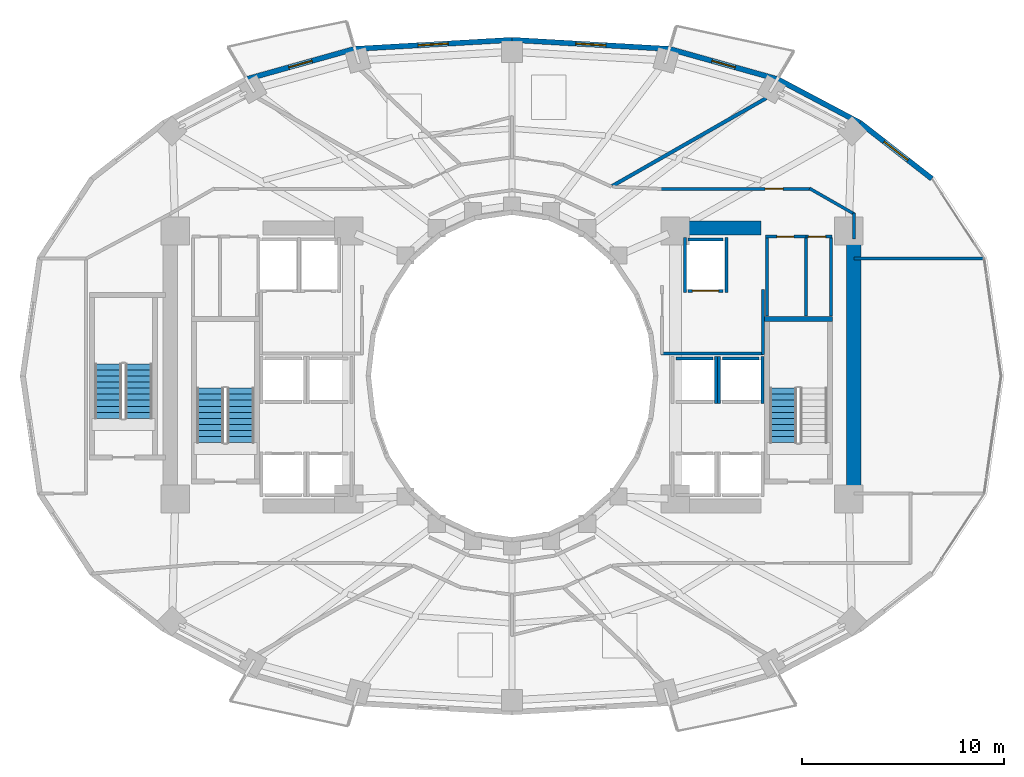
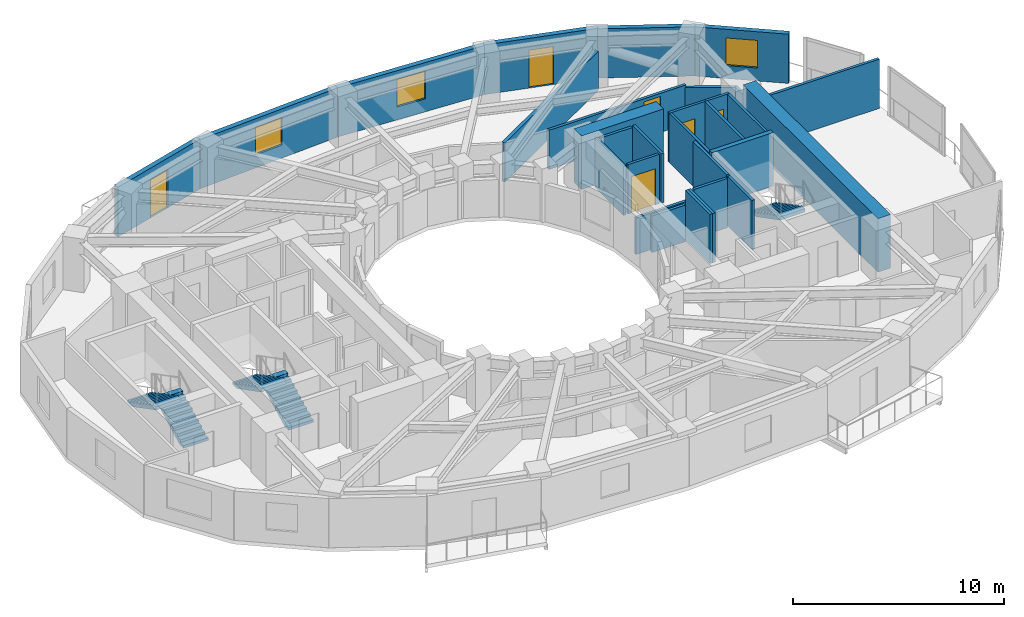
# One storey, part 10 of 14: 30 walls, 6 doors, 5 stair flights, 3 windows, 9 openings, 3 elements without a shape of their own.
"""IFC4 building model written with IfcOpenShell, lengths in metres."""

from ifc_helpers import new_model, si_unit, direction, frame, frame_2d, origin, place, context, subcontext, project, spatial, polyline, rectangle, outline, extrude, material, layer, layer_set, type_object, element, fill, aggregate, save


model = new_model("IFC4")

# Units and contexts
model_context = context("Model", 3, precision=1e-05, world=origin(), true_north=direction((0.0, 1.0)))
body_context = subcontext(model_context, "Body", "Model", "MODEL_VIEW")
ifc_project = project(units=[si_unit("LENGTHUNIT", "METRE"), si_unit("AREAUNIT", "SQUARE_METRE"), si_unit("VOLUMEUNIT", "CUBIC_METRE"), si_unit("PLANEANGLEUNIT", "RADIAN"), si_unit("MASSUNIT", "GRAM", prefix="KILO")], contexts=[model_context])

# Site, building, storey
site_placement = place(None, origin())
site = spatial("IfcSite", under=ifc_project, at=site_placement, CompositionType="ELEMENT")
building_placement = place(site_placement, origin())
building = spatial("IfcBuilding", under=site, at=building_placement, Name="Solvane Sanctuary Tower", CompositionType="ELEMENT")
storey_placement = place(building_placement, frame((0.0, 0.0, 88.699951171875)))
storey = spatial("IfcBuildingStorey", under=building, at=storey_placement, Name="L26", CompositionType="ELEMENT", Elevation=88.699951171875)

# Walls
ifc_material_1 = material(Name="Concrete C60/75", Category="concrete")
ifc_layer_1 = layer(ifc_material_1, 0.699951171875, Name="Concrete C60/75")
ifc_layer_set_1 = layer_set([ifc_layer_1], Name="Concrete C60/75")
wall_type_1 = type_object("IfcWallType", Name="Wall W-CORE-700", PredefinedType="SHEAR", material=ifc_layer_set_1)
wall_1_placement = place(storey_placement, frame((48.949951171875, 17.050048828125, 0.0), z_axis=(0.0, 0.0, 1.0), x_axis=(0.0, 1.0, 0.0)))
element("IfcWall", 1, at=wall_1_placement, inside=storey, type_object=wall_type_1, Name="L26 Core Shear Wall EC-E", PredefinedType="SHEAR", context=body_context, shape_type="SweptSolid", body=[
    extrude(rectangle(XDim=12.800048828125, YDim=0.699951171875, at=frame_2d((6.39990234375, 0.0))), origin(), (0.0, 0.0, 1.0), 3.10009765625),
])
wall_2_placement = place(storey_placement, frame((39.85009765625, 30.35009765625, 0.0), z_axis=(0.0, 0.0, 1.0), x_axis=(1.0, 0.0, 0.0)))
element("IfcWall", 2, at=wall_2_placement, inside=storey, type_object=wall_type_1, Name="L26 Core Shear Wall EC-N", PredefinedType="SHEAR", context=body_context, shape_type="SweptSolid", body=[
    extrude(rectangle(XDim=4.5, YDim=0.699951171875, at=frame_2d((2.25, 0.0))), origin(), (0.0, 0.0, 1.0), 3.10009765625),
])
ifc_material_2 = material(Name="Acoustic Gypsum Partition Board")
ifc_layer_2 = layer(ifc_material_2, 0.14990234375, Name="Acoustic Gypsum Partition Board")
ifc_layer_set_2 = layer_set([ifc_layer_2], Name="Acoustic Gypsum Partition Board")
wall_type_2 = type_object("IfcWallType", Name="Wall W-CORR-150", PredefinedType="PARTITIONING", material=ifc_layer_set_2)
wall_3_placement = place(storey_placement, frame((39.39990234375, 24.1201171875, 0.0), z_axis=(0.0, 0.0, 1.0), x_axis=(1.0, 0.0, 0.0)))
element("IfcWall", 3, at=wall_3_placement, inside=storey, type_object=wall_type_2, Name="L26 East Firefighting Lobby South Wall", PredefinedType="PARTITIONING", context=body_context, shape_type="SweptSolid", body=[
    extrude(rectangle(XDim=5.080078125, YDim=0.14990234375, at=frame_2d((2.5400390625, 0.0))), origin(), (0.0, 0.0, 1.0), 2.1201171875),
])
wall_4_placement = place(storey_placement, frame((44.449951171875, 24.080078125, 0.0), z_axis=(0.0, 0.0, 1.0), x_axis=(0.0, 1.0, 0.0)))
element("IfcWall", 4, at=wall_4_placement, inside=storey, type_object=wall_type_2, Name="L26 East Firefighting Lobby East Wall", PredefinedType="PARTITIONING", context=body_context, shape_type="SweptSolid", body=[
    extrude(rectangle(XDim=3.199951171875, YDim=0.14990234375, at=frame_2d((1.60009765625, 0.0))), origin(), (0.0, 0.0, 1.0), 2.85498046875),
])
wall_5_placement = place(storey_placement, frame((48.949951171875, 28.8251953125, 0.0), z_axis=(0.0, 0.0, 1.0), x_axis=(1.0, 0.0, 0.0)))
element("IfcWall", 5, at=wall_5_placement, inside=storey, type_object=wall_type_2, Name="L26 East Shoulder North Wall", PredefinedType="PARTITIONING", context=body_context, shape_type="SweptSolid", body=[
    extrude(rectangle(XDim=6.49169921875, YDim=0.14990234375, at=frame_2d((3.245849609375, 0.0))), origin(), (0.0, 0.0, 1.0), 2.85498046875),
])
wall_6_placement = place(storey_placement, frame((48.949951171875, 29.800048828125, 0.0), z_axis=(0.0, 0.0, 1.0), x_axis=(0.0, 1.0, 0.0)))
element("IfcWall", 6, at=wall_6_placement, inside=storey, type_object=wall_type_2, Name="L26 NE Corner Closer 1", PredefinedType="PARTITIONING", context=body_context, shape_type="SweptSolid", body=[
    extrude(rectangle(XDim=1.2900390625, YDim=0.14990234375, at=frame_2d((0.64501953125, 0.0))), origin(), (0.0, 0.0, 1.0), 2.14208984375),
])

# Wall, opening, door
wall_7_placement = place(storey_placement, frame((39.330078125, 32.280029296875, 0.0), z_axis=(0.0, 0.0, 1.0), x_axis=(1.0, 0.0, 0.0)))
wall_7 = element("IfcWall", 7, at=wall_7_placement, inside=storey, type_object=wall_type_2, Name="L26 NE Corner Corridor Wall", PredefinedType="PARTITIONING", context=body_context, shape_type="SweptSolid", body=[
    extrude(rectangle(XDim=7.52001953125, YDim=0.14990234375, at=frame_2d((3.760009765625, 0.0))), origin(), (0.0, 0.0, 1.0), 2.27197265625),
])
opening_1_placement = place(wall_7_placement, frame((5.219970703125, 0.0, 0.0)))
opening_1 = element("IfcOpeningElement", 8, at=opening_1_placement, cuts=wall_7, Name="Opening D-L26-16", PredefinedType="OPENING", context=body_context, shape_type="SweptSolid", body=[
    extrude(rectangle(XDim=0.89990234375, YDim=2.10009765625, at=frame_2d((0.449951171875, 1.050048828125))), frame((0.0, 0.0849609375, 0.0), z_axis=(0.0, -1.0, 0.0), x_axis=(1.0, 0.0, 0.0)), (0.0, 0.0, 1.0), 0.169921875),
])
ifc_material_3 = material(Name="Engineered Tropical Hardwood", Category="wood")
door_type_1 = type_object("IfcDoorType", Name="Door D-WET-900", OperationType="NOTDEFINED", PredefinedType="DOOR", material=ifc_material_3)
door_1_placement = place(opening_1_placement, origin())
door_1 = element("IfcDoor", 9, at=door_1_placement, inside=storey, type_object=door_type_1, Name="L26 NE Corner Salon Door", OperationType="SINGLE_SWING_LEFT", OverallHeight=2.10009765625, OverallWidth=0.89990234375, PredefinedType="DOOR", context=body_context, shape_type="SweptSolid", body=[
    extrude(rectangle(XDim=0.89990234375, YDim=2.10009765625, at=frame_2d((0.449951171875, 1.050048828125))), frame((0.0, 0.02490234375, 0.0), z_axis=(0.0, -1.0, 0.0), x_axis=(1.0, 0.0, 0.0)), (0.0, 0.0, 1.0), 0.050048828125),
])
fill(opening_1, door_1)

# Wall
wall_8_placement = place(storey_placement, frame((46.756591796875, 32.3046875, 0.0), z_axis=(0.0, 0.0, 1.0), x_axis=(0.867991349648, -0.496579315857, 0.0)))
element("IfcWall", 10, at=wall_8_placement, inside=storey, type_object=wall_type_2, Name="L26 NE Corner Wing Wall", PredefinedType="PARTITIONING", context=body_context, shape_type="SweptSolid", body=[
    extrude(rectangle(XDim=2.56689453125, YDim=0.14990234375, at=frame_2d((1.283447265625, 0.0))), origin(), (0.0, 0.0, 1.0), 2.14208984375),
])

# Wall, opening, window
ifc_material_4 = material(Name="Precast concrete C40/50", Category="concrete")
ifc_layer_3 = layer(ifc_material_4, 0.260009765625, Name="Precast concrete C40/50")
ifc_layer_set_3 = layer_set([ifc_layer_3], Name="Precast concrete C40/50")
wall_type_3 = type_object("IfcWallType", Name="Wall W-EXT-250", PredefinedType="STANDARD", material=ifc_layer_set_3)
wall_9_placement = place(storey_placement, frame((52.820556640625, 32.786376953125, 0.0), z_axis=(0.0, 0.0, 1.0), x_axis=(-0.789127449954, 0.614229491094, 0.0)))
wall_9 = element("IfcWall", 11, at=wall_9_placement, inside=storey, type_object=wall_type_3, Name="L26 Ceramic-Printed Facade Wall 02", PredefinedType="STANDARD", context=body_context, shape_type="SweptSolid", body=[
    extrude(rectangle(XDim=4.504638671875, YDim=0.260009765625, at=frame_2d((2.25244140625, 0.0))), origin(), (0.0, 0.0, 1.0), 2.85009765625),
])
opening_2_placement = place(wall_9_placement, frame((1.502197265625, 0.0, 0.75)))
opening_2 = element("IfcOpeningElement", 12, at=opening_2_placement, cuts=wall_9, Name="Opening WN-OPER-1500", PredefinedType="OPENING", context=body_context, shape_type="SweptSolid", body=[
    extrude(rectangle(XDim=1.5, YDim=1.60009765625, at=frame_2d((0.75, 0.800048828125))), frame((0.0, 0.139892578125, 0.0), z_axis=(0.0, -1.0, 0.0), x_axis=(1.0, 0.0, 0.0)), (0.0, 0.0, 1.0), 0.280029296875),
])
ifc_material_5 = material(Name="Dark Ceramic-Fritted Low-E Glass", Category="glass")
window_type = type_object("IfcWindowType", Name="Window WN-OPER-1500", PartitioningType="SINGLE_PANEL", PredefinedType="WINDOW", material=ifc_material_5)
window_1_placement = place(opening_2_placement, origin())
window_1 = element("IfcWindow", 13, at=window_1_placement, inside=storey, type_object=window_type, Name="L26 Operable Facade Window 02", OverallHeight=1.60009765625, OverallWidth=1.5, PartitioningType="SINGLE_PANEL", PredefinedType="WINDOW", context=body_context, shape_type="SweptSolid", body=[
    extrude(rectangle(XDim=1.5, YDim=1.60009765625, at=frame_2d((0.75, 0.800048828125))), frame((0.0, 0.030029296875, 0.0), z_axis=(0.0, -1.0, 0.0), x_axis=(1.0, 0.0, 0.0)), (0.0, 0.0, 1.0), 0.06005859375),
])
fill(opening_2, window_1)

# Wall
wall_10_placement = place(storey_placement, frame((49.265869140625, 35.55322265625, 0.0), z_axis=(0.0, 0.0, 1.0), x_axis=(-0.883668636807, 0.4681129568, 0.0)))
element("IfcWall", 14, at=wall_10_placement, inside=storey, type_object=wall_type_3, Name="L26 Ceramic-Printed Facade Wall 03", PredefinedType="STANDARD", context=body_context, shape_type="SweptSolid", body=[
    extrude(rectangle(XDim=4.63134765625, YDim=0.260009765625, at=frame_2d((2.315673828125, 0.0))), origin(), (0.0, 0.0, 1.0), 2.85009765625),
])

# Wall, opening, door
wall_11_placement = place(storey_placement, frame((45.17333984375, 37.72119140625, 0.0), z_axis=(0.0, 0.0, 1.0), x_axis=(-0.962938491413, 0.269721081407, 0.0)))
wall_11 = element("IfcWall", 15, at=wall_11_placement, inside=storey, type_object=wall_type_3, Name="L26 Balcony Facade Wall N1", PredefinedType="STANDARD", context=body_context, shape_type="SweptSolid", body=[
    extrude(rectangle(XDim=5.563232421875, YDim=0.260009765625, at=frame_2d((2.78173828125, 0.0))), origin(), (0.0, 0.0, 1.0), 2.880126953125),
])
opening_3_placement = place(wall_11_placement, frame((2.181640625, 0.0, 0.0)))
opening_3 = element("IfcOpeningElement", 16, at=opening_3_placement, cuts=wall_11, Name="Opening D-L26-01", PredefinedType="OPENING", context=body_context, shape_type="SweptSolid", body=[
    extrude(rectangle(XDim=1.199951171875, YDim=2.199951171875, at=frame_2d((0.60009765625, 1.10009765625))), frame((0.0, 0.139892578125, 0.0), z_axis=(0.0, -1.0, 0.0), x_axis=(1.0, 0.0, 0.0)), (0.0, 0.0, 1.0), 0.280029296875),
])
ifc_material_6 = material(Name="Anodised Aluminium 6063-T6", Category="aluminium")
door_type_2 = type_object("IfcDoorType", Name="Door D-BALC-1200", OperationType="NOTDEFINED", PredefinedType="DOOR", material=ifc_material_6)
door_2_placement = place(opening_3_placement, origin())
door_2 = element("IfcDoor", 17, at=door_2_placement, inside=storey, type_object=door_type_2, Name="L26 Glazed Balcony Door N1", OperationType="SINGLE_SWING_RIGHT", OverallHeight=2.199951171875, OverallWidth=1.199951171875, PredefinedType="DOOR", context=body_context, shape_type="SweptSolid", body=[
    extrude(rectangle(XDim=1.199951171875, YDim=2.199951171875, at=frame_2d((0.60009765625, 1.10009765625))), frame((0.0, 0.02490234375, 0.0), z_axis=(0.0, -1.0, 0.0), x_axis=(1.0, 0.0, 0.0)), (0.0, 0.0, 1.0), 0.050048828125),
])
fill(opening_3, door_2)

# Wall, opening, window
wall_12_placement = place(storey_placement, frame((39.81640625, 39.2216796875, 0.0), z_axis=(0.0, 0.0, 1.0), x_axis=(-0.998352606703, 0.057376586592, 0.0)))
wall_12 = element("IfcWall", 18, at=wall_12_placement, inside=storey, type_object=wall_type_3, Name="L26 Ceramic-Printed Facade Wall 05", PredefinedType="STANDARD", context=body_context, shape_type="SweptSolid", body=[
    extrude(rectangle(XDim=7.829345703125, YDim=0.260009765625, at=frame_2d((3.91455078125, 0.0))), origin(), (0.0, 0.0, 1.0), 2.85009765625),
])
opening_4_placement = place(wall_12_placement, frame((3.16455078125, 0.0, 0.75)))
opening_4 = element("IfcOpeningElement", 19, at=opening_4_placement, cuts=wall_12, Name="Opening WN-OPER-1500", PredefinedType="OPENING", context=body_context, shape_type="SweptSolid", body=[
    extrude(rectangle(XDim=1.5, YDim=1.60009765625, at=frame_2d((0.75, 0.800048828125))), frame((0.0, 0.139892578125, 0.0), z_axis=(0.0, -1.0, 0.0), x_axis=(1.0, 0.0, 0.0)), (0.0, 0.0, 1.0), 0.280029296875),
])
window_2_placement = place(opening_4_placement, origin())
window_2 = element("IfcWindow", 20, at=window_2_placement, inside=storey, type_object=window_type, Name="L26 Operable Facade Window 05", OverallHeight=1.60009765625, OverallWidth=1.5, PartitioningType="SINGLE_PANEL", PredefinedType="WINDOW", context=body_context, shape_type="SweptSolid", body=[
    extrude(rectangle(XDim=1.5, YDim=1.60009765625, at=frame_2d((0.75, 0.800048828125))), frame((0.0, 0.030029296875, 0.0), z_axis=(0.0, -1.0, 0.0), x_axis=(1.0, 0.0, 0.0)), (0.0, 0.0, 1.0), 0.06005859375),
])
fill(opening_4, window_2)

wall_13_placement = place(storey_placement, frame((32.0, 39.6708984375, 0.0), z_axis=(0.0, 0.0, 1.0), x_axis=(-0.998352606703, -0.057376586592, 0.0)))
wall_13 = element("IfcWall", 21, at=wall_13_placement, inside=storey, type_object=wall_type_3, Name="L26 Ceramic-Printed Facade Wall 06", PredefinedType="STANDARD", context=body_context, shape_type="SweptSolid", body=[
    extrude(rectangle(XDim=7.829345703125, YDim=0.260009765625, at=frame_2d((3.91455078125, 0.0))), origin(), (0.0, 0.0, 1.0), 2.85009765625),
])
opening_5_placement = place(wall_13_placement, frame((3.16455078125, 0.0, 0.75)))
opening_5 = element("IfcOpeningElement", 22, at=opening_5_placement, cuts=wall_13, Name="Opening WN-OPER-1500", PredefinedType="OPENING", context=body_context, shape_type="SweptSolid", body=[
    extrude(rectangle(XDim=1.5, YDim=1.60009765625, at=frame_2d((0.75, 0.800048828125))), frame((0.0, 0.139892578125, 0.0), z_axis=(0.0, -1.0, 0.0), x_axis=(1.0, 0.0, 0.0)), (0.0, 0.0, 1.0), 0.280029296875),
])
window_3_placement = place(opening_5_placement, origin())
window_3 = element("IfcWindow", 23, at=window_3_placement, inside=storey, type_object=window_type, Name="L26 Operable Facade Window 06", OverallHeight=1.60009765625, OverallWidth=1.5, PartitioningType="SINGLE_PANEL", PredefinedType="WINDOW", context=body_context, shape_type="SweptSolid", body=[
    extrude(rectangle(XDim=1.5, YDim=1.60009765625, at=frame_2d((0.75, 0.800048828125))), frame((0.0, 0.030029296875, 0.0), z_axis=(0.0, -1.0, 0.0), x_axis=(1.0, 0.0, 0.0)), (0.0, 0.0, 1.0), 0.06005859375),
])
fill(opening_5, window_3)

# Wall, opening, door
wall_14_placement = place(storey_placement, frame((24.18359375, 39.2216796875, 0.0), z_axis=(0.0, 0.0, 1.0), x_axis=(-0.962938491413, -0.269721081407, 0.0)))
wall_14 = element("IfcWall", 24, at=wall_14_placement, inside=storey, type_object=wall_type_3, Name="L26 Balcony Facade Wall N2", PredefinedType="STANDARD", context=body_context, shape_type="SweptSolid", body=[
    extrude(rectangle(XDim=5.563232421875, YDim=0.260009765625, at=frame_2d((2.78173828125, 0.0))), origin(), (0.0, 0.0, 1.0), 2.880126953125),
])
opening_6_placement = place(wall_14_placement, frame((2.181640625, 0.0, 0.0)))
opening_6 = element("IfcOpeningElement", 25, at=opening_6_placement, cuts=wall_14, Name="Opening D-L26-02", PredefinedType="OPENING", context=body_context, shape_type="SweptSolid", body=[
    extrude(rectangle(XDim=1.199951171875, YDim=2.199951171875, at=frame_2d((0.60009765625, 1.10009765625))), frame((0.0, 0.139892578125, 0.0), z_axis=(0.0, -1.0, 0.0), x_axis=(1.0, 0.0, 0.0)), (0.0, 0.0, 1.0), 0.280029296875),
])
door_3_placement = place(opening_6_placement, origin())
door_3 = element("IfcDoor", 26, at=door_3_placement, inside=storey, type_object=door_type_2, Name="L26 Glazed Balcony Door N2", OperationType="SINGLE_SWING_LEFT", OverallHeight=2.199951171875, OverallWidth=1.199951171875, PredefinedType="DOOR", context=body_context, shape_type="SweptSolid", body=[
    extrude(rectangle(XDim=1.199951171875, YDim=2.199951171875, at=frame_2d((0.60009765625, 1.10009765625))), frame((0.0, 0.02490234375, 0.0), z_axis=(0.0, -1.0, 0.0), x_axis=(1.0, 0.0, 0.0)), (0.0, 0.0, 1.0), 0.050048828125),
])
fill(opening_6, door_3)

# Walls
ifc_material_7 = material(Name="Concrete C50/60", Category="concrete")
ifc_layer_4 = layer(ifc_material_7, 0.14990234375, Name="Concrete C50/60")
ifc_layer_set_4 = layer_set([ifc_layer_4], Name="Concrete C50/60")
wall_type_4 = type_object("IfcWallType", Name="Wall W-SHAFT-150", PredefinedType="SOLIDWALL", material=ifc_layer_set_4)
wall_15_placement = place(storey_placement, frame((42.43994140625, 23.8798828125, 0.0), z_axis=(0.0, 0.0, 1.0), x_axis=(1.0, 0.0, 0.0)))
element("IfcWall", 27, at=wall_15_placement, inside=storey, type_object=wall_type_4, Name="L26 PM-2 Lift Shaft Wall B", PredefinedType="SOLIDWALL", context=body_context, shape_type="SweptSolid", body=[
    extrude(rectangle(XDim=1.820068359375, YDim=0.14990234375, at=frame_2d((0.91015625, 0.0))), origin(), (0.0, 0.0, 1.0), 2.85498046875),
])
for number, where, z_axis, x_axis, name in (
    (28, (42.27001953125, 21.639892578125, 0.0), (0.0, 0.0, 1.0), (0.0, 1.0, 0.0), "L26 PM-2 Lift Shaft Wall S1"),
    (29, (44.429931640625, 21.639892578125, 0.0), (0.0, 0.0, 1.0), (0.0, 1.0, 0.0), "L26 PM-2 Lift Shaft Wall S2"),
):
    element("IfcWall", number, at=place(storey_placement, frame(where, z_axis=z_axis, x_axis=x_axis)), inside=storey, type_object=wall_type_4, Name=name, PredefinedType="SOLIDWALL", context=body_context, shape_type="SweptSolid", body=[
        extrude(rectangle(XDim=2.320068359375, YDim=0.14990234375, at=frame_2d((1.16015625, 0.0))), origin(), (0.0, 0.0, 1.0), 2.85498046875),
    ])
wall_16_placement = place(storey_placement, frame((40.139892578125, 23.8798828125, 0.0), z_axis=(0.0, 0.0, 1.0), x_axis=(1.0, 0.0, 0.0)))
element("IfcWall", 30, at=wall_16_placement, inside=storey, type_object=wall_type_4, Name="L26 PH-2 Lift Shaft Wall B", PredefinedType="SOLIDWALL", context=body_context, shape_type="SweptSolid", body=[
    extrude(rectangle(XDim=1.820068359375, YDim=0.14990234375, at=frame_2d((0.91015625, 0.0))), origin(), (0.0, 0.0, 1.0), 2.1201171875),
])
wall_17_placement = place(storey_placement, frame((42.1298828125, 21.639892578125, 0.0), z_axis=(0.0, 0.0, 1.0), x_axis=(0.0, 1.0, 0.0)))
element("IfcWall", 31, at=wall_17_placement, inside=storey, type_object=wall_type_4, Name="L26 PH-2 Lift Shaft Wall S2", PredefinedType="SOLIDWALL", context=body_context, shape_type="SweptSolid", body=[
    extrude(rectangle(XDim=2.320068359375, YDim=0.14990234375, at=frame_2d((1.16015625, 0.0))), origin(), (0.0, 0.0, 1.0), 2.85498046875),
])

# Wall, opening, door
wall_18_placement = place(storey_placement, frame((40.739990234375, 27.219970703125, 0.0), z_axis=(0.0, 0.0, 1.0), x_axis=(1.0, 0.0, 0.0)))
wall_18 = element("IfcWall", 32, at=wall_18_placement, inside=storey, type_object=wall_type_4, Name="L26 FFL-2 Lift Shaft Wall F", PredefinedType="SOLIDWALL", context=body_context, shape_type="SweptSolid", body=[
    extrude(rectangle(XDim=1.719970703125, YDim=0.14990234375, at=frame_2d((0.85986328125, 0.0))), origin(), (0.0, 0.0, 1.0), 2.85498046875),
])
opening_7_placement = place(wall_18_placement, frame((0.2099609375, 0.0, 0.0)))
opening_7 = element("IfcOpeningElement", 33, at=opening_7_placement, cuts=wall_18, Name="Opening LD-L26-07", PredefinedType="OPENING", context=body_context, shape_type="SweptSolid", body=[
    extrude(rectangle(XDim=1.300048828125, YDim=2.10009765625, at=frame_2d((0.64990234375, 1.050048828125))), frame((0.0, 0.0849609375, 0.0), z_axis=(0.0, -1.0, 0.0), x_axis=(1.0, 0.0, 0.0)), (0.0, 0.0, 1.0), 0.169921875),
])
ifc_material_8 = material(Name="Architectural Stainless Steel 316", Category="steel")
door_type_3 = type_object("IfcDoorType", Name="Door LD-FFL-1300", OperationType="NOTDEFINED", PredefinedType="DOOR", material=ifc_material_8)
door_4_placement = place(opening_7_placement, origin())
door_4 = element("IfcDoor", 34, at=door_4_placement, inside=storey, type_object=door_type_3, Name="L26 FFL-2 Lift Landing Door", OperationType="DOUBLE_DOOR_SLIDING", OverallHeight=2.10009765625, OverallWidth=1.300048828125, PredefinedType="DOOR", context=body_context, shape_type="SweptSolid", body=[
    extrude(rectangle(XDim=1.300048828125, YDim=2.10009765625, at=frame_2d((0.64990234375, 1.050048828125))), frame((0.0, 0.02490234375, 0.0), z_axis=(0.0, -1.0, 0.0), x_axis=(1.0, 0.0, 0.0)), (0.0, 0.0, 1.0), 0.050048828125),
])
fill(opening_7, door_4)

# Walls
wall_19_placement = place(storey_placement, frame((40.739990234375, 29.780029296875, 0.0), z_axis=(0.0, 0.0, 1.0), x_axis=(1.0, 0.0, 0.0)))
element("IfcWall", 35, at=wall_19_placement, inside=storey, type_object=wall_type_4, Name="L26 FFL-2 Lift Shaft Wall B", PredefinedType="SOLIDWALL", context=body_context, shape_type="SweptSolid", body=[
    extrude(rectangle(XDim=1.719970703125, YDim=0.14990234375, at=frame_2d((0.85986328125, 0.0))), origin(), (0.0, 0.0, 1.0), 2.85498046875),
])
for number, where, z_axis, x_axis, name in (
    (36, (40.570068359375, 27.139892578125, 0.0), (0.0, 0.0, 1.0), (0.0, 1.0, 0.0), "L26 FFL-2 Lift Shaft Wall S1"),
    (37, (42.6298828125, 27.139892578125, 0.0), (0.0, 0.0, 1.0), (0.0, 1.0, 0.0), "L26 FFL-2 Lift Shaft Wall S2"),
):
    element("IfcWall", number, at=place(storey_placement, frame(where, z_axis=z_axis, x_axis=x_axis)), inside=storey, type_object=wall_type_4, Name=name, PredefinedType="SOLIDWALL", context=body_context, shape_type="SweptSolid", body=[
        extrude(rectangle(XDim=2.72021484375, YDim=0.14990234375, at=frame_2d((1.360107421875, 0.0))), origin(), (0.0, 0.0, 1.0), 2.85498046875),
    ])
ifc_layer_5 = layer(ifc_material_7, 0.25, Name="Concrete C50/60")
ifc_layer_set_5 = layer_set([ifc_layer_5], Name="Concrete C50/60")
wall_type_5 = type_object("IfcWallType", Name="Wall W-SHAFT-250", PredefinedType="SOLIDWALL", material=ifc_layer_set_5)
wall_20_placement = place(storey_placement, frame((44.52490234375, 25.830078125, 0.0), z_axis=(0.0, 0.0, 1.0), x_axis=(1.0, 0.0, 0.0)))
element("IfcWall", 38, at=wall_20_placement, inside=storey, type_object=wall_type_5, Name="L26 ST-2 Load-Bearing Shaft Wall N", PredefinedType="SOLIDWALL", context=body_context, shape_type="SweptSolid", body=[
    extrude(rectangle(XDim=3.3701171875, YDim=0.25, at=frame_2d((1.68505859375, 0.0))), origin(), (0.0, 0.0, 1.0), 3.10009765625),
])
ifc_layer_6 = layer(ifc_material_2, 0.179931640625, Name="Acoustic Gypsum Partition Board")
ifc_layer_set_6 = layer_set([ifc_layer_6], Name="Acoustic Gypsum Partition Board")
wall_type_6 = type_object("IfcWallType", Name="Wall W-UNIT-180", PredefinedType="PARTITIONING", material=ifc_layer_set_6)
wall_21_placement = place(storey_placement, frame((36.972900390625, 32.423583984375, 0.0), z_axis=(0.0, 0.0, 1.0), x_axis=(0.868484076301, 0.495717065685, 0.0)))
element("IfcWall", 39, at=wall_21_placement, inside=storey, type_object=wall_type_6, Name="L26 Radial Compartment Wall 060", PredefinedType="PARTITIONING", context=body_context, shape_type="SweptSolid", body=[
    extrude(rectangle(XDim=8.78857421875, YDim=0.179931640625, at=frame_2d((4.394287109375, 0.0))), origin(), (0.0, 0.0, 1.0), 2.27197265625),
])

# Wall, opening, door
ifc_layer_7 = layer(ifc_material_2, 0.139892578125, Name="Acoustic Gypsum Partition Board")
ifc_layer_set_7 = layer_set([ifc_layer_7], Name="Acoustic Gypsum Partition Board")
wall_type_7 = type_object("IfcWallType", Name="Wall W-WET-140", PredefinedType="PLUMBINGWALL", material=ifc_layer_set_7)
wall_22_placement = place(storey_placement, frame((44.580078125, 29.919921875, 0.0), z_axis=(0.0, 0.0, 1.0), x_axis=(1.0, 0.0, 0.0)))
wall_22 = element("IfcWall", 40, at=wall_22_placement, inside=storey, type_object=wall_type_7, Name="L26 Core Service Front Wall KE1", PredefinedType="PLUMBINGWALL", context=body_context, shape_type="SweptSolid", body=[
    extrude(rectangle(XDim=2.0, YDim=0.139892578125, at=frame_2d((1.0, 0.0))), origin(), (0.0, 0.0, 1.0), 2.85498046875),
])
opening_8_placement = place(wall_22_placement, frame((0.550048828125, 0.0, 0.0)))
opening_8 = element("IfcOpeningElement", 41, at=opening_8_placement, cuts=wall_22, Name="Opening D-L26-12", PredefinedType="OPENING", context=body_context, shape_type="SweptSolid", body=[
    extrude(rectangle(XDim=0.85009765625, YDim=2.050048828125, at=frame_2d((0.425048828125, 1.02490234375))), frame((0.0, 0.079833984375, 0.0), z_axis=(0.0, -1.0, 0.0), x_axis=(1.0, 0.0, 0.0)), (0.0, 0.0, 1.0), 0.159912109375),
])
door_type_4 = type_object("IfcDoorType", Name="Door D-RISER", OperationType="NOTDEFINED", PredefinedType="DOOR", material=ifc_material_8)
door_5_placement = place(opening_8_placement, origin())
door_5 = element("IfcDoor", 42, at=door_5_placement, inside=storey, type_object=door_type_4, Name="L26 Core Service Room Door KE1-1", OperationType="SINGLE_SWING_LEFT", OverallHeight=2.050048828125, OverallWidth=0.85009765625, PredefinedType="DOOR", context=body_context, shape_type="SweptSolid", body=[
    extrude(rectangle(XDim=0.85009765625, YDim=2.050048828125, at=frame_2d((0.425048828125, 1.02490234375))), frame((0.0, 0.02490234375, 0.0), z_axis=(0.0, -1.0, 0.0), x_axis=(1.0, 0.0, 0.0)), (0.0, 0.0, 1.0), 0.050048828125),
])
fill(opening_8, door_5)

# Walls
for number, where, z_axis, x_axis, name in (
    (43, (44.639892578125, 25.97998046875, 0.0), (0.0, 0.0, 1.0), (0.0, 1.0, 0.0), "L26 Core Service Side Wall KE1-1"),
    (44, (46.580078125, 25.97998046875, 0.0), (0.0, 0.0, 1.0), (0.0, 1.0, 0.0), "L26 Core Service Side Wall KE1-2"),
):
    element("IfcWall", number, at=place(storey_placement, frame(where, z_axis=z_axis, x_axis=x_axis)), inside=storey, type_object=wall_type_7, Name=name, PredefinedType="PLUMBINGWALL", context=body_context, shape_type="SweptSolid", body=[
        extrude(rectangle(XDim=3.880126953125, YDim=0.139892578125, at=frame_2d((1.93994140625, 0.0))), origin(), (0.0, 0.0, 1.0), 2.85498046875),
    ])

# Wall, opening, door
wall_23_placement = place(storey_placement, frame((46.580078125, 29.919921875, 0.0), z_axis=(0.0, 0.0, 1.0), x_axis=(1.0, 0.0, 0.0)))
wall_23 = element("IfcWall", 45, at=wall_23_placement, inside=storey, type_object=wall_type_7, Name="L26 Core Service Front Wall KE2", PredefinedType="PLUMBINGWALL", context=body_context, shape_type="SweptSolid", body=[
    extrude(rectangle(XDim=1.2998046875, YDim=0.139892578125, at=frame_2d((0.64990234375, 0.0))), origin(), (0.0, 0.0, 1.0), 2.85498046875),
])
opening_9_placement = place(wall_23_placement, frame((0.1201171875, 0.0, 0.0)))
opening_9 = element("IfcOpeningElement", 46, at=opening_9_placement, cuts=wall_23, Name="Opening D-L26-13", PredefinedType="OPENING", context=body_context, shape_type="SweptSolid", body=[
    extrude(rectangle(XDim=0.85009765625, YDim=2.050048828125, at=frame_2d((0.425048828125, 1.02490234375))), frame((0.0, 0.079833984375, 0.0), z_axis=(0.0, -1.0, 0.0), x_axis=(1.0, 0.0, 0.0)), (0.0, 0.0, 1.0), 0.159912109375),
])
door_6_placement = place(opening_9_placement, origin())
door_6 = element("IfcDoor", 47, at=door_6_placement, inside=storey, type_object=door_type_4, Name="L26 Core Service Room Door KE2-1", OperationType="SINGLE_SWING_RIGHT", OverallHeight=2.050048828125, OverallWidth=0.85009765625, PredefinedType="DOOR", context=body_context, shape_type="SweptSolid", body=[
    extrude(rectangle(XDim=0.85009765625, YDim=2.050048828125, at=frame_2d((0.425048828125, 1.02490234375))), frame((0.0, 0.02490234375, 0.0), z_axis=(0.0, -1.0, 0.0), x_axis=(1.0, 0.0, 0.0)), (0.0, 0.0, 1.0), 0.050048828125),
])
fill(opening_9, door_6)

# Wall
wall_24_placement = place(storey_placement, frame((47.820068359375, 25.97998046875, 0.0), z_axis=(0.0, 0.0, 1.0), x_axis=(0.0, 1.0, 0.0)))
element("IfcWall", 48, at=wall_24_placement, inside=storey, type_object=wall_type_7, Name="L26 Core Service Side Wall KE2-1", PredefinedType="PLUMBINGWALL", context=body_context, shape_type="SweptSolid", body=[
    extrude(rectangle(XDim=3.880126953125, YDim=0.139892578125, at=frame_2d((1.93994140625, 0.0))), origin(), (0.0, 0.0, 1.0), 2.85498046875),
])

# Stair, stair flights
ifc_material_9 = material(Name="Concrete C45/55", Category="concrete")
stair_type = type_object("IfcStairType", Name="Stair ST-TOW", PredefinedType="HALF_TURN_STAIR", material=ifc_material_9)
stair_1_placement = place(storey_placement, origin())
stair_1 = element("IfcStair", 49, at=stair_1_placement, inside=storey, type_object=stair_type, Name="L26 Exit Stair ST-1 West Core", PredefinedType="HALF_TURN_STAIR")
stair_flight_type = type_object("IfcStairFlightType", Name="StairFlight SF-TOW", PredefinedType="STRAIGHT", material=ifc_material_9)
stair_flight_1_placement = place(storey_placement, frame((18.544921875, 19.699951171875, 0.0), z_axis=(0.0, 0.0, 1.0), x_axis=(0.0, 1.0, 0.0)))
stair_flight_1 = element("IfcStairFlight", 50, at=stair_flight_1_placement, type_object=stair_flight_type, Name="ST-1 flight 1", NumberOfRisers=10, NumberOfTreads=9, PredefinedType="STRAIGHT", RiserHeight=0.155, TreadLength=0.3, context=body_context, shape_type="SweptSolid", body=[
    extrude(outline(polyline([(0.0, 0.0), (0.0, 0.155029296875), (0.300048828125, 0.155029296875), (0.300048828125, 0.31005859375), (0.60009765625, 0.31005859375), (0.60009765625, 0.465087890625), (0.89990234375, 0.465087890625), (0.89990234375, 0.6201171875), (1.199951171875, 0.6201171875), (1.199951171875, 0.77490234375), (1.5, 0.77490234375), (1.5, 0.929931640625), (1.800048828125, 0.929931640625), (1.800048828125, 1.0849609375), (2.10009765625, 1.0849609375), (2.10009765625, 1.239990234375), (2.39990234375, 1.239990234375), (2.39990234375, 1.39501953125), (2.699951171875, 1.39501953125), (2.699951171875, 1.550048828125), (2.699951171875, 1.1923828125), (0.39208984375, 0.0), (0.0, 0.0)])), frame((0.0, 0.675048828125, 0.0), z_axis=(0.0, -1.0, 0.0), x_axis=(1.0, 0.0, 0.0)), (0.0, 0.0, 1.0), 1.35009765625),
])
stair_flight_2_placement = place(storey_placement, frame((17.034912109375, 22.39990234375, 1.550048828125), z_axis=(0.0, 0.0, 1.0), x_axis=(0.0, -1.0, 0.0)))
stair_flight_2 = element("IfcStairFlight", 51, at=stair_flight_2_placement, type_object=stair_flight_type, Name="ST-1 flight 2", NumberOfRisers=10, NumberOfTreads=9, PredefinedType="STRAIGHT", RiserHeight=0.155, TreadLength=0.3, context=body_context, shape_type="SweptSolid", body=[
    extrude(outline(polyline([(0.0, 0.0), (0.0, 0.155029296875), (0.300048828125, 0.155029296875), (0.300048828125, 0.31005859375), (0.60009765625, 0.31005859375), (0.60009765625, 0.465087890625), (0.89990234375, 0.465087890625), (0.89990234375, 0.6201171875), (1.199951171875, 0.6201171875), (1.199951171875, 0.77490234375), (1.5, 0.77490234375), (1.5, 0.929931640625), (1.800048828125, 0.929931640625), (1.800048828125, 1.0849609375), (2.10009765625, 1.0849609375), (2.10009765625, 1.239990234375), (2.39990234375, 1.239990234375), (2.39990234375, 1.39501953125), (2.699951171875, 1.39501953125), (2.699951171875, 1.550048828125), (2.699951171875, 1.1923828125), (0.39208984375, 0.0), (0.0, 0.0)])), frame((0.0, 0.675048828125, 0.0), z_axis=(0.0, -1.0, 0.0), x_axis=(1.0, 0.0, 0.0)), (0.0, 0.0, 1.0), 1.35009765625),
])
aggregate(stair_1, [stair_flight_1, stair_flight_2])

# Stair, stair flight
stair_2_placement = place(storey_placement, origin())
stair_2 = element("IfcStair", 52, at=stair_2_placement, inside=storey, type_object=stair_type, Name="L26 Exit Stair ST-2 East Core", PredefinedType="HALF_TURN_STAIR")
stair_flight_3_placement = place(storey_placement, frame((45.455078125, 22.39990234375, 1.550048828125), z_axis=(0.0, 0.0, 1.0), x_axis=(0.0, -1.0, 0.0)))
stair_flight_3 = element("IfcStairFlight", 53, at=stair_flight_3_placement, type_object=stair_flight_type, Name="ST-2 flight 2", NumberOfRisers=10, NumberOfTreads=9, PredefinedType="STRAIGHT", RiserHeight=0.155, TreadLength=0.3, context=body_context, shape_type="SweptSolid", body=[
    extrude(outline(polyline([(0.0, 0.0), (0.0, 0.155029296875), (0.300048828125, 0.155029296875), (0.300048828125, 0.31005859375), (0.60009765625, 0.31005859375), (0.60009765625, 0.465087890625), (0.89990234375, 0.465087890625), (0.89990234375, 0.6201171875), (1.199951171875, 0.6201171875), (1.199951171875, 0.77490234375), (1.5, 0.77490234375), (1.5, 0.929931640625), (1.800048828125, 0.929931640625), (1.800048828125, 1.0849609375), (2.10009765625, 1.0849609375), (2.10009765625, 1.239990234375), (2.39990234375, 1.239990234375), (2.39990234375, 1.39501953125), (2.699951171875, 1.39501953125), (2.699951171875, 1.550048828125), (2.699951171875, 1.1923828125), (0.39208984375, 0.0), (0.0, 0.0)])), frame((0.0, 0.675048828125, 0.0), z_axis=(0.0, -1.0, 0.0), x_axis=(1.0, 0.0, 0.0)), (0.0, 0.0, 1.0), 1.35009765625),
])
aggregate(stair_2, [stair_flight_3])

# Stair, stair flights
stair_3_placement = place(storey_placement, origin())
stair_3 = element("IfcStair", 54, at=stair_3_placement, inside=storey, type_object=stair_type, Name="L26 Exit Stair ST-3 Pilgrim Tower Stair", PredefinedType="HALF_TURN_STAIR")
stair_flight_4_placement = place(storey_placement, frame((13.485107421875, 20.89990234375, 0.0), z_axis=(0.0, 0.0, 1.0), x_axis=(0.0, 1.0, 0.0)))
stair_flight_4 = element("IfcStairFlight", 55, at=stair_flight_4_placement, type_object=stair_flight_type, Name="ST-3 flight 1", NumberOfRisers=10, NumberOfTreads=9, PredefinedType="STRAIGHT", RiserHeight=0.155, TreadLength=0.3, context=body_context, shape_type="SweptSolid", body=[
    extrude(outline(polyline([(0.0, 0.0), (0.0, 0.155029296875), (0.300048828125, 0.155029296875), (0.300048828125, 0.31005859375), (0.60009765625, 0.31005859375), (0.60009765625, 0.465087890625), (0.89990234375, 0.465087890625), (0.89990234375, 0.6201171875), (1.199951171875, 0.6201171875), (1.199951171875, 0.77490234375), (1.5, 0.77490234375), (1.5, 0.929931640625), (1.800048828125, 0.929931640625), (1.800048828125, 1.0849609375), (2.10009765625, 1.0849609375), (2.10009765625, 1.239990234375), (2.39990234375, 1.239990234375), (2.39990234375, 1.39501953125), (2.699951171875, 1.39501953125), (2.699951171875, 1.550048828125), (2.699951171875, 1.1923828125), (0.39208984375, 0.0), (0.0, 0.0)])), frame((0.0, 0.675048828125, 0.0), z_axis=(0.0, -1.0, 0.0), x_axis=(1.0, 0.0, 0.0)), (0.0, 0.0, 1.0), 1.35009765625),
])
stair_flight_5_placement = place(storey_placement, frame((11.97509765625, 23.60009765625, 1.550048828125), z_axis=(0.0, 0.0, 1.0), x_axis=(0.0, -1.0, 0.0)))
stair_flight_5 = element("IfcStairFlight", 56, at=stair_flight_5_placement, type_object=stair_flight_type, Name="ST-3 flight 2", NumberOfRisers=10, NumberOfTreads=9, PredefinedType="STRAIGHT", RiserHeight=0.155, TreadLength=0.3, context=body_context, shape_type="SweptSolid", body=[
    extrude(outline(polyline([(0.0, 0.0), (0.0, 0.155029296875), (0.300048828125, 0.155029296875), (0.300048828125, 0.31005859375), (0.60009765625, 0.31005859375), (0.60009765625, 0.465087890625), (0.89990234375, 0.465087890625), (0.89990234375, 0.6201171875), (1.199951171875, 0.6201171875), (1.199951171875, 0.77490234375), (1.5, 0.77490234375), (1.5, 0.929931640625), (1.800048828125, 0.929931640625), (1.800048828125, 1.0849609375), (2.10009765625, 1.0849609375), (2.10009765625, 1.239990234375), (2.39990234375, 1.239990234375), (2.39990234375, 1.39501953125), (2.699951171875, 1.39501953125), (2.699951171875, 1.550048828125), (2.699951171875, 1.1923828125), (0.39208984375, 0.0), (0.0, 0.0)])), frame((0.0, 0.675048828125, 0.0), z_axis=(0.0, -1.0, 0.0), x_axis=(1.0, 0.0, 0.0)), (0.0, 0.0, 1.0), 1.35009765625),
])
aggregate(stair_3, [stair_flight_4, stair_flight_5])

save(model, "model.ifc")
